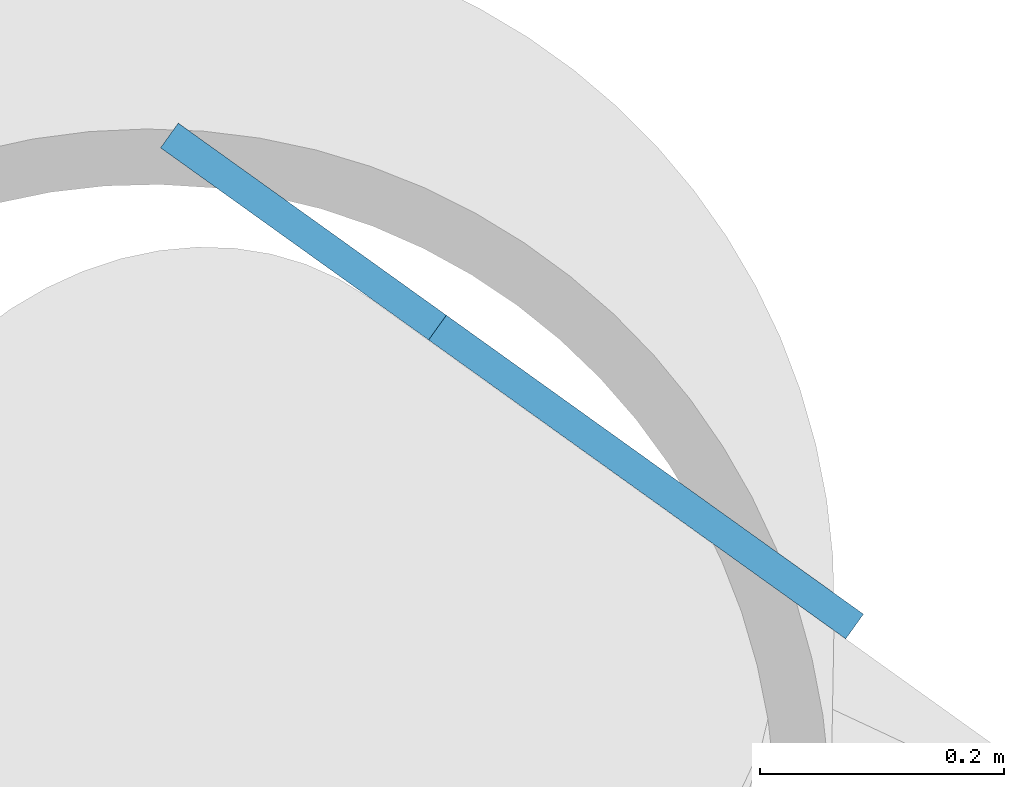
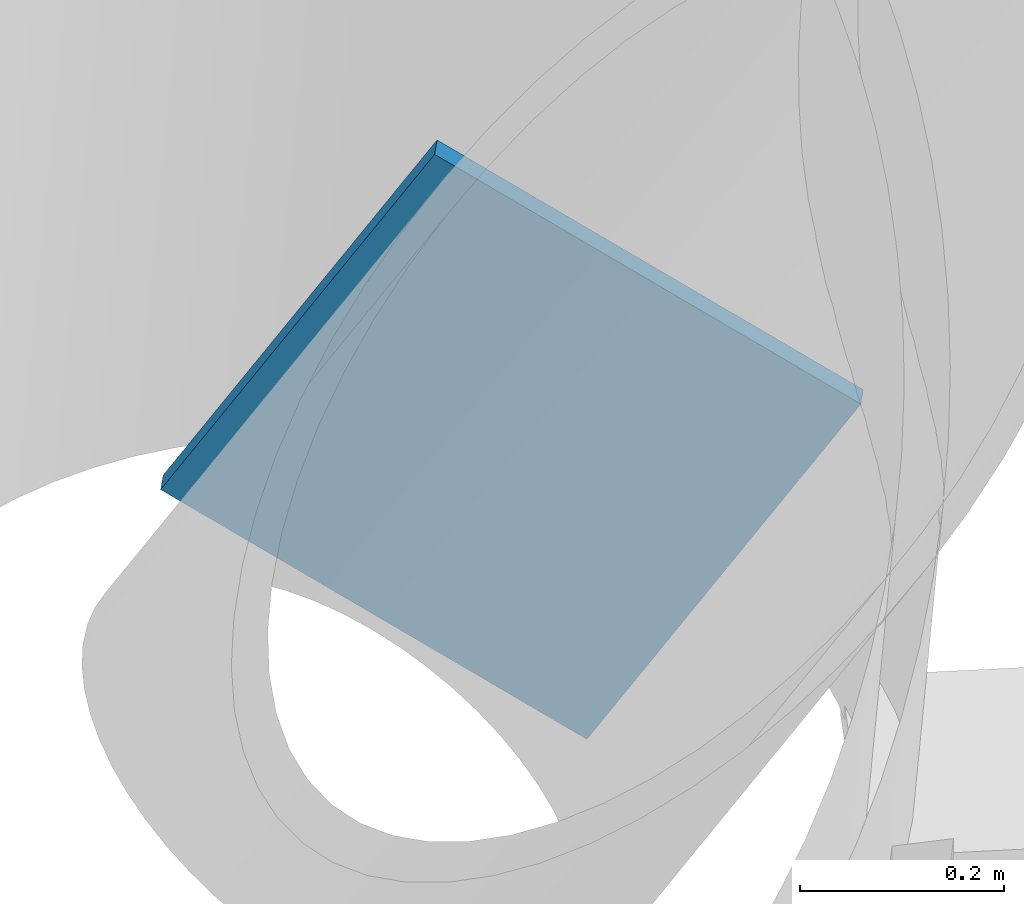
# One storey, part 14 of 24: 1 discrete accessory.
"""IFC4 building model written with IfcOpenShell, lengths in metres."""

from ifc_helpers import new_model, si_unit, direction, frame, origin, origin_2d, place, context, subcontext, project, spatial, rectangle, extrude, material, material_profile, profile_set, type_object, element, save


model = new_model("IFC4")

# Units and contexts
model_context = context("Model", 3, precision=1e-05, world=origin(), true_north=direction((0.0, 1.0)))
body_context = subcontext(model_context, "Body", "Model", "MODEL_VIEW")
ifc_project = project(units=[si_unit("LENGTHUNIT", "METRE"), si_unit("AREAUNIT", "SQUARE_METRE"), si_unit("VOLUMEUNIT", "CUBIC_METRE"), si_unit("PLANEANGLEUNIT", "RADIAN"), si_unit("MASSUNIT", "GRAM", prefix="KILO")], contexts=[model_context])

# Site, building, storey
site_placement = place(None, origin())
site = spatial("IfcSite", under=ifc_project, at=site_placement, CompositionType="ELEMENT")
building_placement = place(site_placement, origin())
building = spatial("IfcBuilding", under=site, at=building_placement, Name="Tarsis Ring Headquarters", CompositionType="ELEMENT")
storey_placement = place(building_placement, frame((0.0, 0.0, 178.800048828125)))
storey = spatial("IfcBuildingStorey", under=building, at=storey_placement, Name="L41", CompositionType="ELEMENT", Elevation=178.800048828125)

# Discrete accessory
ifc_material = material(Name="Structural steel S355", Category="steel")
ifc_material_profile = material_profile(ifc_material, rectangle(XDim=0.02490234375, YDim=0.5, at=origin_2d()), Name="PL 25x500")
ifc_profile_set = profile_set([ifc_material_profile], Name="Structural steel S355")
discrete_accessory_type = type_object("IfcDiscreteAccessoryType", Name="Gusset plate Exo brace 25", PredefinedType="BRACKET", material=ifc_profile_set)
discrete_accessory_placement = place(storey_placement, frame((-36.790771484375, 1.209228515625, 0.0), z_axis=(0.439610107827, -0.315053910609, 0.841120672975), x_axis=(0.582518941428, 0.812817127574, 0.0)))
element("IfcDiscreteAccessory", 1, at=discrete_accessory_placement, inside=storey, type_object=discrete_accessory_type, Name="Gusset plate GP5", PredefinedType="BRACKET", context=body_context, shape_type="SweptSolid", body=[
    extrude(rectangle(XDim=0.02490234375, YDim=0.5, at=origin_2d()), origin(), (0.0, 0.0, 1.0), 0.499755859375),
])

save(model, "model.ifc")
